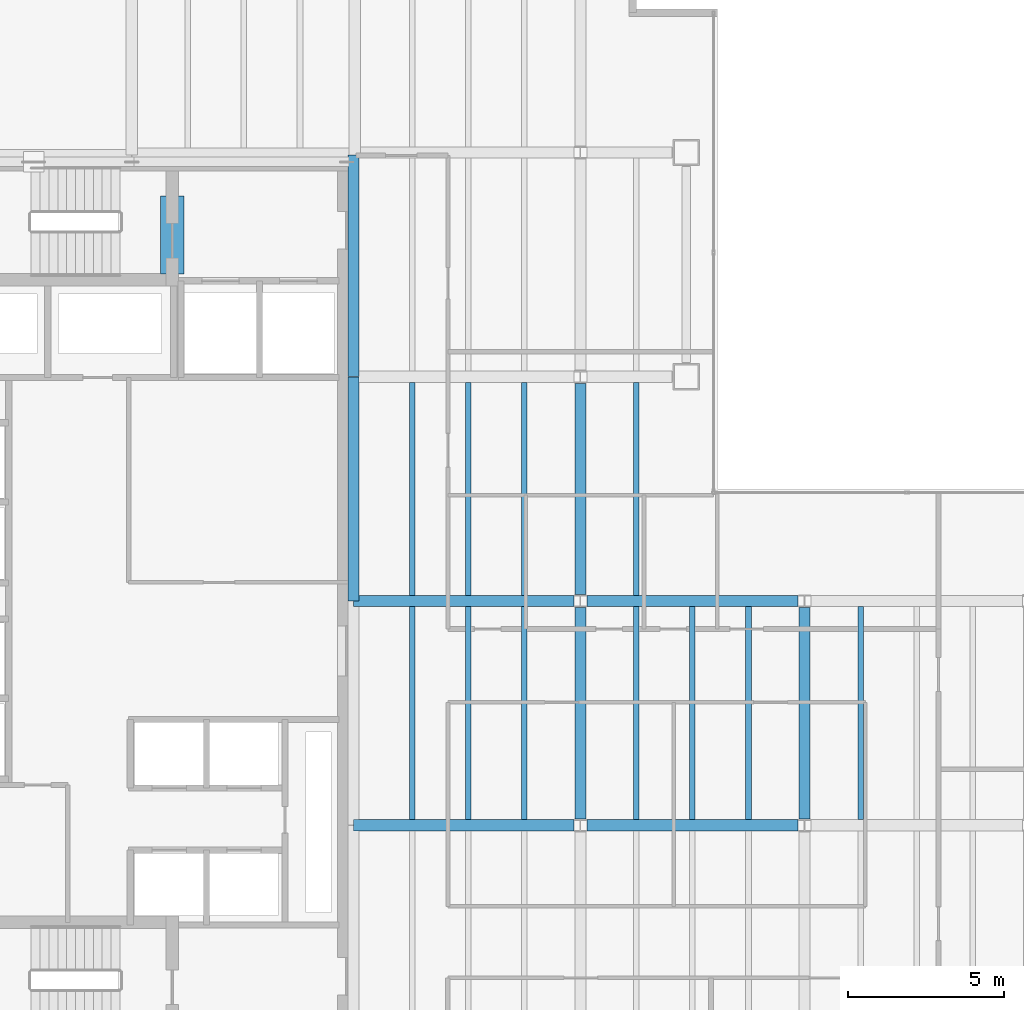
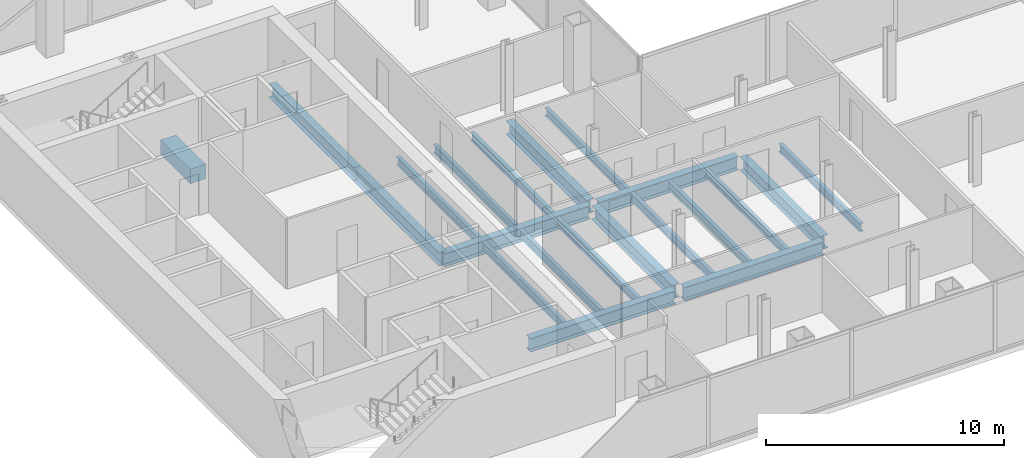
# One storey, part 6 of 23: 21 beams.
"""IFC4 building model written with IfcOpenShell, lengths in metres."""

from ifc_helpers import new_model, si_unit, direction, frame, origin, origin_2d, place, context, subcontext, project, spatial, rectangle, i_section, extrude, material, material_profile, profile_set, type_object, element, save


model = new_model("IFC4")

# Units and contexts
model_context = context("Model", 3, precision=1e-05, world=origin(), true_north=direction((0.0, 1.0)))
body_context = subcontext(model_context, "Body", "Model", "MODEL_VIEW")
ifc_project = project(units=[si_unit("LENGTHUNIT", "METRE"), si_unit("AREAUNIT", "SQUARE_METRE"), si_unit("VOLUMEUNIT", "CUBIC_METRE"), si_unit("PLANEANGLEUNIT", "RADIAN"), si_unit("MASSUNIT", "GRAM", prefix="KILO")], contexts=[model_context])

# Site, building, storey
site_placement = place(None, origin())
site = spatial("IfcSite", under=ifc_project, at=site_placement, CompositionType="ELEMENT")
building_placement = place(site_placement, origin())
building = spatial("IfcBuilding", under=site, at=building_placement, Name="Cobrela Telecom Tower", CompositionType="ELEMENT")
storey_placement = place(building_placement, frame((0.0, 0.0, 148.39990234375)))
storey = spatial("IfcBuildingStorey", under=building, at=storey_placement, Name="L37", CompositionType="ELEMENT", Elevation=148.39990234375)

# Beams
ifc_material_1 = material(Name="Concrete C40/50", Category="concrete")
ifc_material_profile_1 = material_profile(ifc_material_1, rectangle(XDim=0.75, YDim=0.75, at=origin_2d()), Name="RC 750x750")
ifc_profile_set_1 = profile_set([ifc_material_profile_1], Name="Concrete C40/50")
beam_type_1 = type_object("IfcBeamType", Name="BM-COUP-RC", PredefinedType="LINTEL", material=ifc_profile_set_1)
beam_1_placement = place(storey_placement, frame((8.5, 32.10009765625, -0.619873046875), z_axis=(0.0, 1.0, 0.0), x_axis=(-1.0, 0.0, 0.0)))
element("IfcBeam", 1, at=beam_1_placement, inside=storey, type_object=beam_type_1, Name="L37 Core Coupling Lintel Beam", PredefinedType="LINTEL", context=body_context, shape_type="SweptSolid", body=[
    extrude(rectangle(XDim=0.75, YDim=0.75, at=origin_2d()), origin(), (0.0, 0.0, 1.0), 2.5),
])
ifc_material_2 = material(Name="Steel ASTM A992 Grade 50", Category="steel")
ifc_material_profile_2 = material_profile(ifc_material_2, i_section(OverallWidth=0.35595703125, OverallDepth=0.696044921875, WebThickness=0.015380859375, FlangeThickness=0.024658203125, FilletRadius=0.01806640625, at=origin_2d()), Name="W27X146")
ifc_profile_set_2 = profile_set([ifc_material_profile_2], Name="Steel ASTM A992 Grade 50")
beam_type_2 = type_object("IfcBeamType", Name="BM-GIRD-05", PredefinedType="USERDEFINED", material=ifc_profile_set_2)
beam_2_placement = place(storey_placement, frame((14.324951171875, 14.39990234375, -0.617919921875), z_axis=(1.0, 0.0, 0.0), x_axis=(0.0, 1.0, 0.0)))
element("IfcBeam", 2, at=beam_2_placement, inside=storey, type_object=beam_type_2, Name="L37 Primary Girder X13", ObjectType="GIRDER", PredefinedType="USERDEFINED", context=body_context, shape_type="SweptSolid", body=[
    extrude(i_section(OverallWidth=0.35595703125, OverallDepth=0.696044921875, WebThickness=0.015380859375, FlangeThickness=0.024658203125, FilletRadius=0.01806640625, at=origin_2d()), origin(), (0.0, 0.0, 1.0), 7.0654296875),
])
beam_3_placement = place(storey_placement, frame((21.8095703125, 14.39990234375, -0.617919921875), z_axis=(1.0, 0.0, 0.0), x_axis=(0.0, 1.0, 0.0)))
element("IfcBeam", 3, at=beam_3_placement, inside=storey, type_object=beam_type_2, Name="L37 Primary Girder X14", ObjectType="GIRDER", PredefinedType="USERDEFINED", context=body_context, shape_type="SweptSolid", body=[
    extrude(i_section(OverallWidth=0.35595703125, OverallDepth=0.696044921875, WebThickness=0.015380859375, FlangeThickness=0.024658203125, FilletRadius=0.01806640625, at=origin_2d()), origin(), (0.0, 0.0, 1.0), 6.781005859375),
])
beam_4_placement = place(storey_placement, frame((14.324951171875, 21.60009765625, -0.617919921875), z_axis=(1.0, 0.0, 0.0), x_axis=(0.0, 1.0, 0.0)))
element("IfcBeam", 4, at=beam_4_placement, inside=storey, type_object=beam_type_2, Name="L37 Primary Girder X18", ObjectType="GIRDER", PredefinedType="USERDEFINED", context=body_context, shape_type="SweptSolid", body=[
    extrude(i_section(OverallWidth=0.35595703125, OverallDepth=0.696044921875, WebThickness=0.015380859375, FlangeThickness=0.024658203125, FilletRadius=0.01806640625, at=origin_2d()), origin(), (0.0, 0.0, 1.0), 7.0654296875),
])
beam_5_placement = place(storey_placement, frame((21.8095703125, 21.60009765625, -0.617919921875), z_axis=(1.0, 0.0, 0.0), x_axis=(0.0, 1.0, 0.0)))
element("IfcBeam", 5, at=beam_5_placement, inside=storey, type_object=beam_type_2, Name="L37 Primary Girder X19", ObjectType="GIRDER", PredefinedType="USERDEFINED", context=body_context, shape_type="SweptSolid", body=[
    extrude(i_section(OverallWidth=0.35595703125, OverallDepth=0.696044921875, WebThickness=0.015380859375, FlangeThickness=0.024658203125, FilletRadius=0.01806640625, at=origin_2d()), origin(), (0.0, 0.0, 1.0), 6.781005859375),
])
beam_6_placement = place(storey_placement, frame((14.320068359375, 21.60498046875, -0.617919921875), z_axis=(0.0, 1.0, 0.0), x_axis=(-1.0, 0.0, 0.0)))
element("IfcBeam", 6, at=beam_6_placement, inside=storey, type_object=beam_type_2, Name="L37 Primary Girder Y36", ObjectType="GIRDER", PredefinedType="USERDEFINED", context=body_context, shape_type="SweptSolid", body=[
    extrude(i_section(OverallWidth=0.35595703125, OverallDepth=0.696044921875, WebThickness=0.015380859375, FlangeThickness=0.024658203125, FilletRadius=0.01806640625, at=origin_2d()), origin(), (0.0, 0.0, 1.0), 7.18994140625),
])
beam_7_placement = place(storey_placement, frame((14.320068359375, 28.804931640625, -0.617919921875), z_axis=(0.0, 1.0, 0.0), x_axis=(-1.0, 0.0, 0.0)))
element("IfcBeam", 7, at=beam_7_placement, inside=storey, type_object=beam_type_2, Name="L37 Primary Girder Y37", ObjectType="GIRDER", PredefinedType="USERDEFINED", context=body_context, shape_type="SweptSolid", body=[
    extrude(i_section(OverallWidth=0.35595703125, OverallDepth=0.696044921875, WebThickness=0.015380859375, FlangeThickness=0.024658203125, FilletRadius=0.01806640625, at=origin_2d()), origin(), (0.0, 0.0, 1.0), 7.110107421875),
])
beam_8_placement = place(storey_placement, frame((21.60009765625, 14.609619140625, -0.617919921875), z_axis=(0.0, 1.0, 0.0), x_axis=(-1.0, 0.0, 0.0)))
element("IfcBeam", 8, at=beam_8_placement, inside=storey, type_object=beam_type_2, Name="L37 Primary Girder Y41", ObjectType="GIRDER", PredefinedType="USERDEFINED", context=body_context, shape_type="SweptSolid", body=[
    extrude(i_section(OverallWidth=0.35595703125, OverallDepth=0.696044921875, WebThickness=0.015380859375, FlangeThickness=0.024658203125, FilletRadius=0.01806640625, at=origin_2d()), origin(), (0.0, 0.0, 1.0), 6.78076171875),
])
beam_9_placement = place(storey_placement, frame((21.60009765625, 21.8095703125, -0.617919921875), z_axis=(0.0, 1.0, 0.0), x_axis=(-1.0, 0.0, 0.0)))
element("IfcBeam", 9, at=beam_9_placement, inside=storey, type_object=beam_type_2, Name="L37 Primary Girder Y42", ObjectType="GIRDER", PredefinedType="USERDEFINED", context=body_context, shape_type="SweptSolid", body=[
    extrude(i_section(OverallWidth=0.35595703125, OverallDepth=0.696044921875, WebThickness=0.015380859375, FlangeThickness=0.024658203125, FilletRadius=0.01806640625, at=origin_2d()), origin(), (0.0, 0.0, 1.0), 6.781005859375),
])
beam_10_placement = place(storey_placement, frame((28.800048828125, 14.609619140625, -0.617919921875), z_axis=(0.0, 1.0, 0.0), x_axis=(-1.0, 0.0, 0.0)))
element("IfcBeam", 10, at=beam_10_placement, inside=storey, type_object=beam_type_2, Name="L37 Primary Girder Y48", ObjectType="GIRDER", PredefinedType="USERDEFINED", context=body_context, shape_type="SweptSolid", body=[
    extrude(i_section(OverallWidth=0.35595703125, OverallDepth=0.696044921875, WebThickness=0.015380859375, FlangeThickness=0.024658203125, FilletRadius=0.01806640625, at=origin_2d()), origin(), (0.0, 0.0, 1.0), 6.78076171875),
])
ifc_material_profile_3 = material_profile(ifc_material_2, i_section(OverallWidth=0.179931640625, OverallDepth=0.4169921875, WebThickness=0.010986328125, FlangeThickness=0.01806640625, FilletRadius=0.011962890625, at=origin_2d()), Name="W16X57")
ifc_profile_set_3 = profile_set([ifc_material_profile_3], Name="Steel ASTM A992 Grade 50")
beam_type_3 = type_object("IfcBeamType", Name="BM-JOIST-04", PredefinedType="JOIST", material=ifc_profile_set_3)
for number, where, z_axis, x_axis, name in (
    (11, (16.199951171875, 14.5830078125, -0.478515625), (0.0, 1.0, 0.0), (-1.0, 0.0, 0.0), "L37 Secondary Composite Floor Beam J05"),
    (12, (16.199951171875, 21.782958984375, -0.478515625), (0.0, 1.0, 0.0), (-1.0, 0.0, 0.0), "L37 Secondary Composite Floor Beam J06"),
    (13, (18.0, 14.5830078125, -0.478515625), (0.0, 1.0, 0.0), (-1.0, 0.0, 0.0), "L37 Secondary Composite Floor Beam J10"),
    (14, (18.0, 21.782958984375, -0.478515625), (0.0, 1.0, 0.0), (-1.0, 0.0, 0.0), "L37 Secondary Composite Floor Beam J11"),
    (15, (19.800048828125, 14.5830078125, -0.478515625), (0.0, 1.0, 0.0), (-1.0, 0.0, 0.0), "L37 Secondary Composite Floor Beam J15"),
    (16, (19.800048828125, 21.782958984375, -0.478515625), (0.0, 1.0, 0.0), (-1.0, 0.0, 0.0), "L37 Secondary Composite Floor Beam J16"),
    (17, (23.39990234375, 14.5830078125, -0.478515625), (0.0, 1.0, 0.0), (-1.0, 0.0, 0.0), "L37 Secondary Composite Floor Beam J20"),
    (18, (23.39990234375, 21.782958984375, -0.478515625), (0.0, 1.0, 0.0), (-1.0, 0.0, 0.0), "L37 Secondary Composite Floor Beam J21"),
    (19, (25.199951171875, 14.5830078125, -0.478515625), (0.0, 1.0, 0.0), (-1.0, 0.0, 0.0), "L37 Secondary Composite Floor Beam J24"),
    (20, (27.0, 14.5830078125, -0.478515625), (0.0, 1.0, 0.0), (-1.0, 0.0, 0.0), "L37 Secondary Composite Floor Beam J26"),
    (21, (30.60009765625, 14.5830078125, -0.478515625), (0.0, 1.0, 0.0), (-1.0, 0.0, 0.0), "L37 Secondary Composite Floor Beam J28"),
):
    element("IfcBeam", number, at=place(storey_placement, frame(where, z_axis=z_axis, x_axis=x_axis)), inside=storey, type_object=beam_type_3, Name=name, PredefinedType="JOIST", context=body_context, shape_type="SweptSolid", body=[
        extrude(i_section(OverallWidth=0.179931640625, OverallDepth=0.4169921875, WebThickness=0.010986328125, FlangeThickness=0.01806640625, FilletRadius=0.011962890625, at=origin_2d()), origin(), (0.0, 0.0, 1.0), 6.833984375),
    ])

save(model, "model.ifc")
